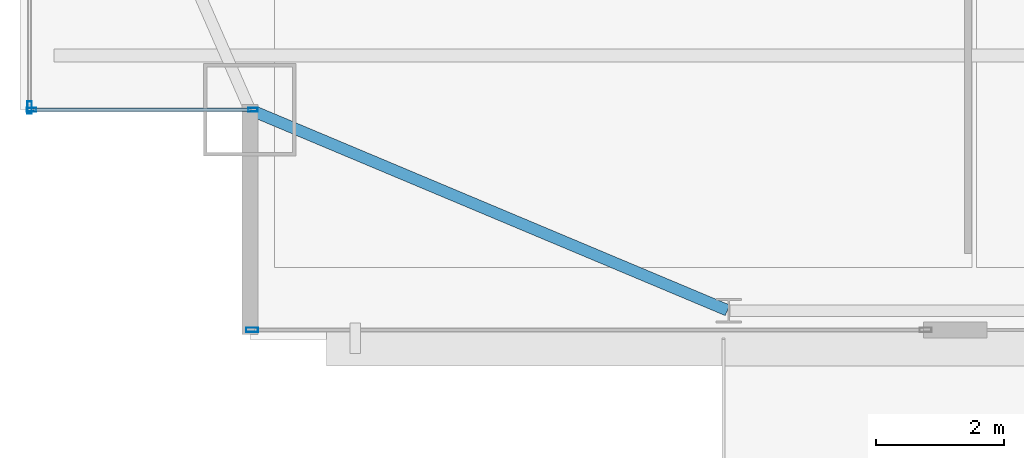
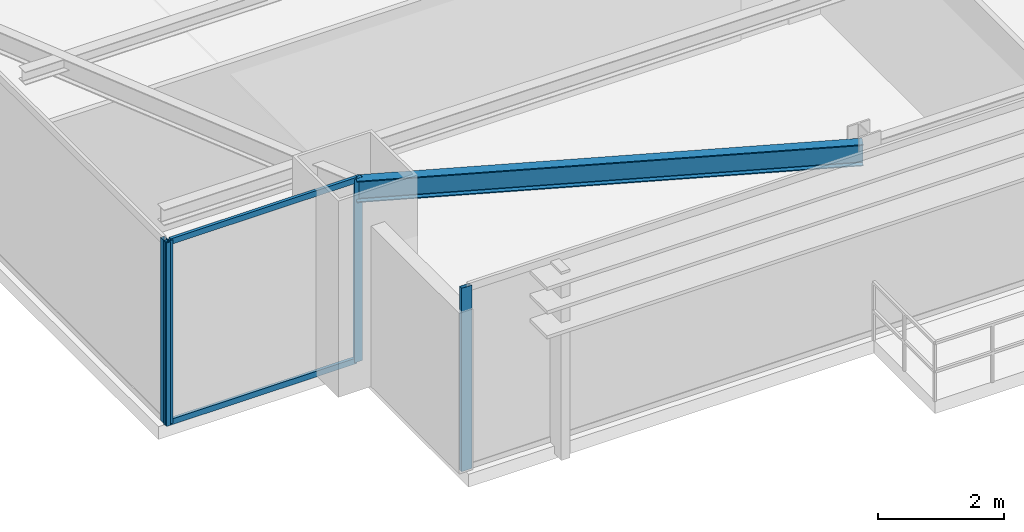
# One storey, part 3 of 36: 6 members, 1 beam, 3 elements without a shape of their own.
"""IFC4 building model written with IfcOpenShell, lengths in metres."""

from ifc_helpers import new_model, si_unit, direction, frame, origin, origin_2d, place, context, subcontext, project, spatial, hollow_rectangle, i_section, extrude, source, transform, mapped, material, layer, layer_set, material_profile, profile_set, type_object, type_shapes, element, aggregate, save


model = new_model("IFC4")

# Units and contexts
model_context = context("Model", 3, precision=1e-05, world=origin(), true_north=direction((0.0, 1.0)))
body_context = subcontext(model_context, "Body", "Model", "MODEL_VIEW")
ifc_project = project(units=[si_unit("LENGTHUNIT", "METRE"), si_unit("AREAUNIT", "SQUARE_METRE"), si_unit("VOLUMEUNIT", "CUBIC_METRE"), si_unit("PLANEANGLEUNIT", "RADIAN"), si_unit("MASSUNIT", "GRAM", prefix="KILO")], contexts=[model_context])

# Site, building, storey
site_placement = place(None, origin())
site = spatial("IfcSite", under=ifc_project, at=site_placement, CompositionType="ELEMENT")
building_placement = place(site_placement, origin())
building = spatial("IfcBuilding", under=site, at=building_placement, Name="Varnel Quay Broadcast Tower", CompositionType="ELEMENT")
storey_placement = place(building_placement, frame((0.0, 0.0, 114.39990234375)))
storey = spatial("IfcBuildingStorey", under=building, at=storey_placement, Name="L27", CompositionType="ELEMENT", Elevation=114.39990234375)

# Beam
ifc_material_1 = material(Name="Structural Steel CSA G40.21 350W", Category="steel")
ifc_material_profile_1 = material_profile(ifc_material_1, i_section(OverallWidth=0.180908203125, OverallDepth=0.4169921875, WebThickness=0.010986328125, FlangeThickness=0.018310546875, FilletRadius=0.011962890625, at=origin_2d()), Name="W410X85")
ifc_profile_set_1 = profile_set([ifc_material_profile_1], Name="Structural Steel CSA G40.21 350W")
beam_type = type_object("IfcBeamType", Name="Beam_W410X85", PredefinedType="SPANDREL", material=ifc_profile_set_1)
shared_shape_1 = source(origin(), body_context, "Body", "SweptSolid", [
    extrude(i_section(OverallWidth=0.180908203125, OverallDepth=0.4169921875, WebThickness=0.010986328125, FlangeThickness=0.018310546875, FilletRadius=0.011962890625, at=origin_2d()), origin(), (0.0, 0.0, 1.0), 8.0947265625),
])
type_shapes(beam_type, [shared_shape_1])
beam_placement = place(storey_placement, frame((8.118408203125, 7.792236328125, 3.341552734375), z_axis=(0.921981890247, -0.387232997117, 0.0), x_axis=(0.387232997117, 0.921981890247, 0.0)))
element("IfcBeam", 1, at=beam_placement, inside=storey, type_object=beam_type, Name="L27 South Spandrel MC-SW-TC-S1", PredefinedType="SPANDREL", context=body_context, shape_type="MappedRepresentation", body=[
    mapped(shared_shape_1, transform((0.0, 0.0, 0.0), x_axis=(1.0, 0.0, 0.0), y_axis=(0.0, 1.0, 0.0), z_axis=(0.0, 0.0, 1.0), scale=1.0)),
])

# Curtain wall, members
ifc_material_2 = material(Name="Anodised Bronze Aluminium 6063-T6", Category="aluminium")
ifc_layer_1 = layer(ifc_material_2, 0.18994140625, Name="Anodised Bronze Aluminium 6063-T6")
ifc_layer_set_1 = layer_set([ifc_layer_1], Name="Anodised Bronze Aluminium 6063-T6")
curtain_wall_type_1 = type_object("IfcCurtainWallType", Name="CW_NotchCorner", PredefinedType="NOTDEFINED", material=ifc_layer_set_1)
curtain_wall_1_placement = place(storey_placement, origin())
curtain_wall_1 = element("IfcCurtainWall", 2, at=curtain_wall_1_placement, inside=storey, type_object=curtain_wall_type_1, Name="L27 SW Notch Curtain Wall", PredefinedType="NOTDEFINED")
ifc_material_profile_2 = material_profile(ifc_material_2, hollow_rectangle(XDim=0.054931640625, YDim=0.110107421875, WallThickness=0.0029296875, at=origin_2d()), Name="ALU55X110X3")
ifc_profile_set_2 = profile_set([ifc_material_profile_2], Name="Anodised Bronze Aluminium 6063-T6")
member_type_1 = type_object("IfcMemberType", Name="Tran_CWS-04", PredefinedType="USERDEFINED", material=ifc_profile_set_2)
shared_shape_2 = source(origin(), body_context, "Body", "SweptSolid", [
    extrude(hollow_rectangle(XDim=0.054931640625, YDim=0.110107421875, WallThickness=0.0029296875, at=origin_2d()), origin(), (0.0, 0.0, 1.0), 3.41015625),
])
type_shapes(member_type_1, [shared_shape_2])
member_1_placement = place(storey_placement, frame((4.7099609375, 7.800048828125, 0.027587890625), z_axis=(1.0, 0.0, 0.0), x_axis=(0.0, 1.0, 0.0)))
member_1 = element("IfcMember", 3, at=member_1_placement, type_object=member_type_1, Name="CWS-04 transom 1.1", ObjectType="TRANSOM", PredefinedType="USERDEFINED", context=body_context, shape_type="MappedRepresentation", body=[
    mapped(shared_shape_2, transform((0.0, 0.0, 0.0), x_axis=(1.0, 0.0, 0.0), y_axis=(0.0, 1.0, 0.0), z_axis=(0.0, 0.0, 1.0), scale=1.0)),
])
member_2_placement = place(storey_placement, frame((4.7099609375, 7.800048828125, 3.522705078125), z_axis=(1.0, 0.0, 0.0), x_axis=(0.0, 1.0, 0.0)))
member_2 = element("IfcMember", 4, at=member_2_placement, type_object=member_type_1, Name="CWS-04 transom 1.2", ObjectType="TRANSOM", PredefinedType="USERDEFINED", context=body_context, shape_type="MappedRepresentation", body=[
    mapped(shared_shape_2, transform((0.0, 0.0, 0.0), x_axis=(1.0, 0.0, 0.0), y_axis=(0.0, 1.0, 0.0), z_axis=(0.0, 0.0, 1.0), scale=1.0)),
])

# Curtain wall, member
ifc_layer_2 = layer(ifc_material_2, 0.18994140625, Name="Anodised Bronze Aluminium 6063-T6")
ifc_layer_set_2 = layer_set([ifc_layer_2], Name="Anodised Bronze Aluminium 6063-T6")
curtain_wall_type_2 = type_object("IfcCurtainWallType", Name="CW_LowerTower", PredefinedType="NOTDEFINED", material=ifc_layer_set_2)
curtain_wall_2_placement = place(storey_placement, origin())
curtain_wall_2 = element("IfcCurtainWall", 5, at=curtain_wall_2_placement, inside=storey, type_object=curtain_wall_type_2, Name="L27 South Unitised Curtain Wall 1", PredefinedType="NOTDEFINED")
ifc_material_profile_3 = material_profile(ifc_material_2, hollow_rectangle(XDim=0.070068359375, YDim=0.18994140625, WallThickness=0.00390625, at=origin_2d()), Name="ALU70X190X4")
ifc_profile_set_3 = profile_set([ifc_material_profile_3], Name="Anodised Bronze Aluminium 6063-T6")
member_type_2 = type_object("IfcMemberType", Name="Mull_CWS-02", PredefinedType="MULLION", material=ifc_profile_set_3)
shared_shape_3 = source(origin(), body_context, "Body", "SweptSolid", [
    extrude(hollow_rectangle(XDim=0.070068359375, YDim=0.18994140625, WallThickness=0.00390625, at=origin_2d()), origin(), (0.0, 0.0, 1.0), 3.550048828125),
])
type_shapes(member_type_2, [shared_shape_3])
member_3_placement = place(storey_placement, frame((8.135009765625, 4.35009765625, 0.0), z_axis=(0.0, 0.0, 1.0), x_axis=(0.0, 1.0, 0.0)))
member_3 = element("IfcMember", 6, at=member_3_placement, type_object=member_type_2, Name="CWS-02 mullion 1", PredefinedType="MULLION", context=body_context, shape_type="MappedRepresentation", body=[
    mapped(shared_shape_3, transform((0.0, 0.0, 0.0), x_axis=(1.0, 0.0, 0.0), y_axis=(0.0, 1.0, 0.0), z_axis=(0.0, 0.0, 1.0), scale=1.0)),
])
aggregate(curtain_wall_2, [member_3])

curtain_wall_3_placement = place(storey_placement, origin())
curtain_wall_3 = element("IfcCurtainWall", 7, at=curtain_wall_3_placement, inside=storey, type_object=curtain_wall_type_2, Name="L27 West Unitised Curtain Wall", PredefinedType="NOTDEFINED")
member_4_placement = place(storey_placement, frame((4.64990234375, 7.8349609375, 0.0), z_axis=(0.0, 0.0, 1.0), x_axis=(-1.0, 0.0, 0.0)))
member_4 = element("IfcMember", 8, at=member_4_placement, type_object=member_type_2, Name="CWS-02 mullion 1", PredefinedType="MULLION", context=body_context, shape_type="MappedRepresentation", body=[
    mapped(shared_shape_3, transform((0.0, 0.0, 0.0), x_axis=(1.0, 0.0, 0.0), y_axis=(0.0, 1.0, 0.0), z_axis=(0.0, 0.0, 1.0), scale=1.0)),
])
aggregate(curtain_wall_3, [member_4])

# Member
ifc_material_profile_4 = material_profile(ifc_material_2, hollow_rectangle(XDim=0.06005859375, YDim=0.14501953125, WallThickness=0.00341796875, at=origin_2d()), Name="ALU60X145X3.5")
ifc_profile_set_4 = profile_set([ifc_material_profile_4], Name="Anodised Bronze Aluminium 6063-T6")
member_type_3 = type_object("IfcMemberType", Name="Mull_CWS-04", PredefinedType="MULLION", material=ifc_profile_set_4)
shared_shape_4 = source(origin(), body_context, "Body", "SweptSolid", [
    extrude(hollow_rectangle(XDim=0.06005859375, YDim=0.14501953125, WallThickness=0.00341796875, at=origin_2d()), origin(), (0.0, 0.0, 1.0), 3.550048828125),
])
type_shapes(member_type_3, [shared_shape_4])
member_5_placement = place(storey_placement, frame((4.679931640625, 7.800048828125, 0.0), z_axis=(0.0, 0.0, 1.0), x_axis=(0.0, 1.0, 0.0)))
member_5 = element("IfcMember", 9, at=member_5_placement, type_object=member_type_3, Name="CWS-04 mullion 1", PredefinedType="MULLION", context=body_context, shape_type="MappedRepresentation", body=[
    mapped(shared_shape_4, transform((0.0, 0.0, 0.0), x_axis=(1.0, 0.0, 0.0), y_axis=(0.0, 1.0, 0.0), z_axis=(0.0, 0.0, 1.0), scale=1.0)),
])

member_6_placement = place(storey_placement, frame((8.14990234375, 7.800048828125, 0.0), z_axis=(0.0, 0.0, 1.0), x_axis=(0.0, 1.0, 0.0)))
member_6 = element("IfcMember", 10, at=member_6_placement, type_object=member_type_3, Name="CWS-04 mullion 2", PredefinedType="MULLION", context=body_context, shape_type="MappedRepresentation", body=[
    mapped(shared_shape_4, transform((0.0, 0.0, 0.0), x_axis=(1.0, 0.0, 0.0), y_axis=(0.0, 1.0, 0.0), z_axis=(0.0, 0.0, 1.0), scale=1.0)),
])

aggregate(curtain_wall_1, [member_5, member_6, member_1, member_2])

save(model, "model.ifc")
